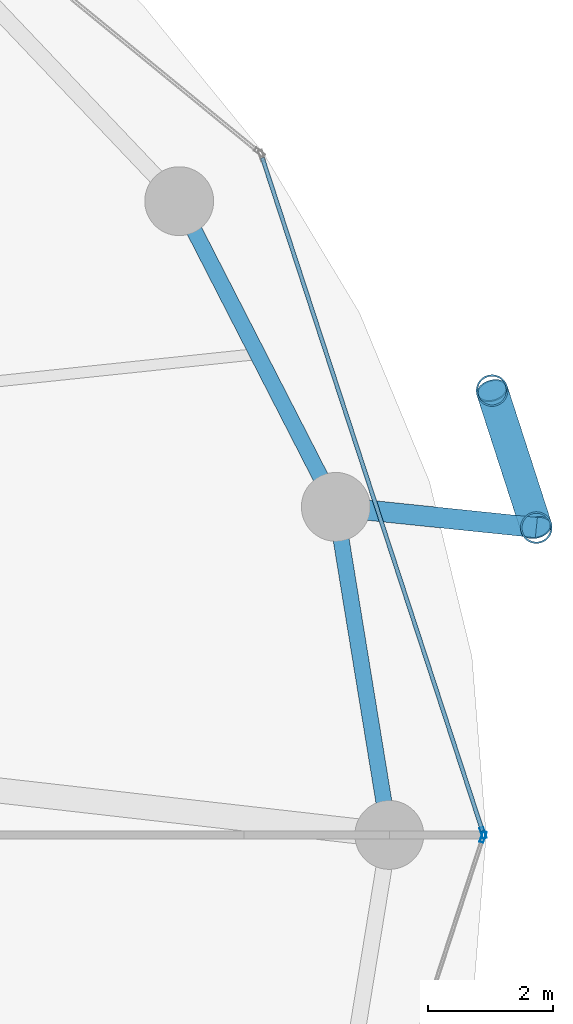
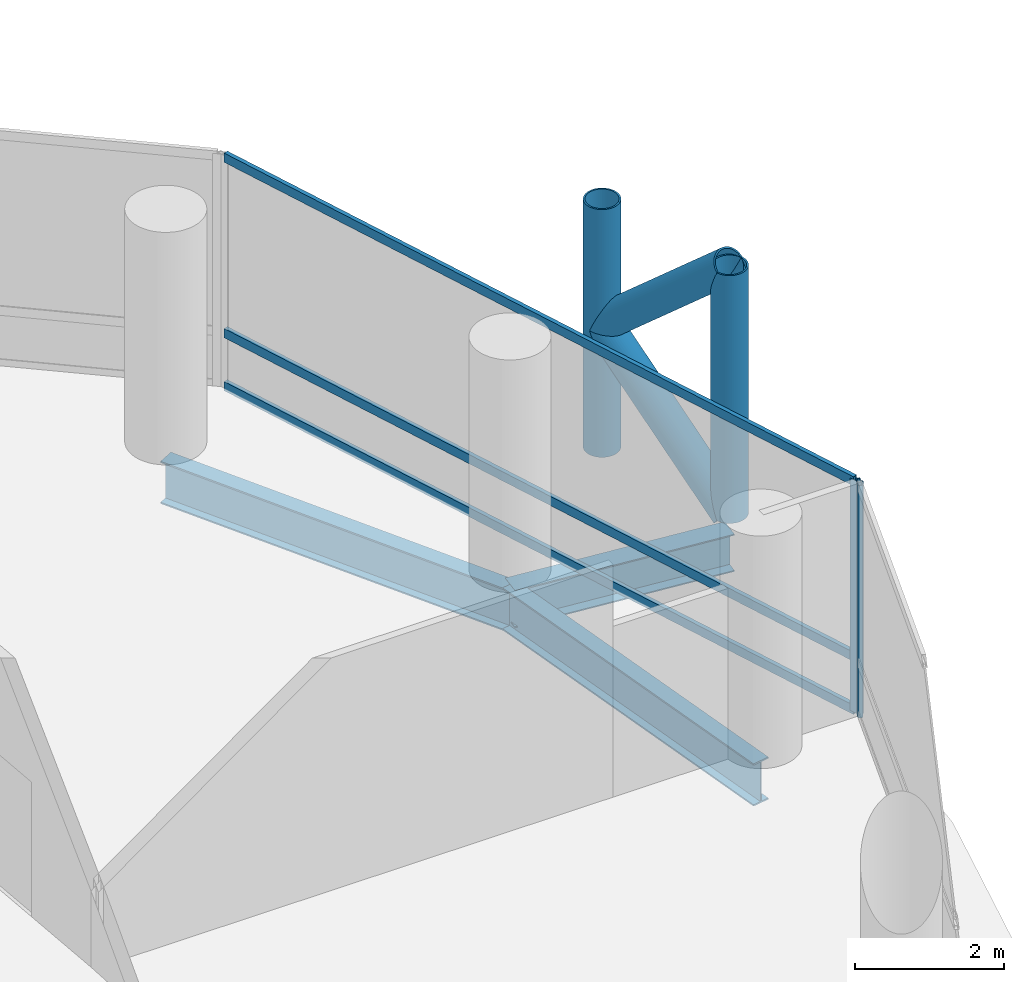
# One storey, part 12 of 24: 9 members, 3 beams, 2 elements without a shape of their own.
"""IFC4 building model written with IfcOpenShell, lengths in metres."""

from ifc_helpers import new_model, si_unit, direction, frame, origin, origin_2d, place, context, subcontext, project, spatial, hollow_rectangle, hollow_circle, i_section, extrude, material, layer, layer_set, material_profile, profile_set, type_object, element, aggregate, save


model = new_model("IFC4")

# Units and contexts
model_context = context("Model", 3, precision=1e-05, world=origin(), true_north=direction((0.0, 1.0)))
body_context = subcontext(model_context, "Body", "Model", "MODEL_VIEW")
ifc_project = project(units=[si_unit("LENGTHUNIT", "METRE"), si_unit("AREAUNIT", "SQUARE_METRE"), si_unit("VOLUMEUNIT", "CUBIC_METRE"), si_unit("PLANEANGLEUNIT", "RADIAN"), si_unit("MASSUNIT", "GRAM", prefix="KILO")], contexts=[model_context])

# Site, building, storey
site_placement = place(None, origin())
site = spatial("IfcSite", under=ifc_project, at=site_placement, CompositionType="ELEMENT")
building_placement = place(site_placement, origin())
building = spatial("IfcBuilding", under=site, at=building_placement, Name="Nuhasar Tower", CompositionType="ELEMENT")
storey_placement = place(building_placement, frame((0.0, 0.0, 81.75)))
storey = spatial("IfcBuildingStorey", under=building, at=storey_placement, Name="L19", CompositionType="ELEMENT", Elevation=81.75)

# Beams
ifc_material_1 = material(Name="Steel S355", Category="steel")
ifc_material_profile_1 = material_profile(ifc_material_1, i_section(OverallWidth=0.256103515625, OverallDepth=0.693115234375, WebThickness=0.014404296875, FlangeThickness=0.023681640625, at=origin_2d()), Name="W27X114")
ifc_profile_set_1 = profile_set([ifc_material_profile_1], Name="Steel S355")
beam_type_1 = type_object("IfcBeamType", Name="BM-RING-W27X114", PredefinedType="SPANDREL", material=ifc_profile_set_1)
beam_1_placement = place(storey_placement, frame((64.050048828125, 26.800048828125, -0.596923828125), z_axis=(-0.160826635486, 0.986982671235, 0.0), x_axis=(-0.986982671235, -0.160826635486, 0.0)))
element("IfcBeam", 1, at=beam_1_placement, inside=storey, type_object=beam_type_1, Name="L19 Perimeter Ring Spandrel 01", PredefinedType="SPANDREL", context=body_context, shape_type="SweptSolid", body=[
    extrude(i_section(OverallWidth=0.256103515625, OverallDepth=0.693115234375, WebThickness=0.014404296875, FlangeThickness=0.023681640625, at=origin_2d()), origin(), (0.0, 0.0, 1.0), 5.31005859375),
])
beam_2_placement = place(storey_placement, frame((63.196044921875, 32.041015625, -0.596923828125), z_axis=(-0.455930023905, 0.890015625314, 0.0), x_axis=(-0.890015625314, -0.455930023905, 0.0)))
element("IfcBeam", 2, at=beam_2_placement, inside=storey, type_object=beam_type_1, Name="L19 Perimeter Ring Spandrel 02", PredefinedType="SPANDREL", context=body_context, shape_type="SweptSolid", body=[
    extrude(i_section(OverallWidth=0.256103515625, OverallDepth=0.693115234375, WebThickness=0.014404296875, FlangeThickness=0.023681640625, at=origin_2d()), origin(), (0.0, 0.0, 1.0), 5.487548828125),
])
ifc_material_profile_2 = material_profile(ifc_material_1, i_section(OverallWidth=0.323974609375, OverallDepth=0.611083984375, WebThickness=0.0126953125, FlangeThickness=0.01904296875, at=origin_2d()), Name="W24X104")
ifc_profile_set_2 = profile_set([ifc_material_profile_2], Name="Steel S355")
beam_type_2 = type_object("IfcBeamType", Name="BM-TIE-W24X104", PredefinedType="BEAM", material=ifc_profile_set_2)
beam_3_placement = place(storey_placement, frame((63.196044921875, 32.041015625, -0.554931640625), z_axis=(0.994703825606, -0.102782777377, 0.0), x_axis=(0.102782777377, 0.994703825606, 0.0)))
element("IfcBeam", 3, at=beam_3_placement, inside=storey, type_object=beam_type_2, Name="L19 Exoskeleton Node Tie Beam 01", PredefinedType="BEAM", context=body_context, shape_type="SweptSolid", body=[
    extrude(i_section(OverallWidth=0.323974609375, OverallDepth=0.611083984375, WebThickness=0.0126953125, FlangeThickness=0.01904296875, at=origin_2d()), origin(), (0.0, 0.0, 1.0), 3.220947265625),
])

# Curtain wall, member
ifc_material_2 = material(Name="Aluminium 6063-T6", Category="aluminium")
ifc_layer = layer(ifc_material_2, 0.199951171875)
ifc_layer_set = layer_set([ifc_layer], Name="Aluminium 6063-T6")
curtain_wall_type = type_object("IfcCurtainWallType", Name="CW-Z1-OFF", PredefinedType="NOTDEFINED", material=ifc_layer_set)
curtain_wall_1_placement = place(storey_placement, origin())
curtain_wall_1 = element("IfcCurtainWall", 4, at=curtain_wall_1_placement, inside=storey, type_object=curtain_wall_type, Name="L19 Unitised Curtain Wall 01", PredefinedType="NOTDEFINED")
ifc_material_profile_3 = material_profile(ifc_material_2, hollow_rectangle(XDim=0.06494140625, YDim=0.179931640625, WallThickness=0.0048828125, at=origin_2d()), Name="CWM-2")
ifc_profile_set_3 = profile_set([ifc_material_profile_3], Name="Aluminium 6063-T6")
member_type_1 = type_object("IfcMemberType", Name="CW-MUL-S2", PredefinedType="MULLION", material=ifc_profile_set_3)
member_1_placement = place(storey_placement, frame((65.5498046875, 26.830810546875, 0.0), z_axis=(0.0, 0.0, 1.0), x_axis=(-0.950467534571, -0.310823849997, 0.0)))
member_1 = element("IfcMember", 5, at=member_1_placement, type_object=member_type_1, Name="CW-Z1 mullion 1", PredefinedType="MULLION", context=body_context, shape_type="SweptSolid", body=[
    extrude(hollow_rectangle(XDim=0.06494140625, YDim=0.179931640625, WallThickness=0.0048828125, at=origin_2d()), origin(), (0.0, 0.0, 1.0), 3.800048828125),
])

curtain_wall_2_placement = place(storey_placement, origin())
curtain_wall_2 = element("IfcCurtainWall", 6, at=curtain_wall_2_placement, inside=storey, type_object=curtain_wall_type, Name="L19 Unitised Curtain Wall 12", PredefinedType="NOTDEFINED")
member_2_placement = place(storey_placement, frame((65.5498046875, 26.76904296875, 0.0), z_axis=(0.0, 0.0, 1.0), x_axis=(-0.950467534571, 0.310823849997, 0.0)))
member_2 = element("IfcMember", 7, at=member_2_placement, type_object=member_type_1, Name="CW-Z1 mullion 2", PredefinedType="MULLION", context=body_context, shape_type="SweptSolid", body=[
    extrude(hollow_rectangle(XDim=0.06494140625, YDim=0.179931640625, WallThickness=0.0048828125, at=origin_2d()), origin(), (0.0, 0.0, 1.0), 3.800048828125),
])
aggregate(curtain_wall_2, [member_2])

# Member
ifc_material_profile_4 = material_profile(ifc_material_2, hollow_rectangle(XDim=0.06494140625, YDim=0.14990234375, WallThickness=0.00439453125, at=origin_2d()), Name="CWT-2")
ifc_profile_set_4 = profile_set([ifc_material_profile_4], Name="Aluminium 6063-T6")
member_type_2 = type_object("IfcMemberType", Name="CW-TRN-S2", PredefinedType="USERDEFINED", material=ifc_profile_set_4)
member_3_placement = place(storey_placement, frame((65.539794921875, 26.86181640625, 0.032470703125), z_axis=(-0.31082506089, 0.950467138581, 0.0), x_axis=(-0.950467138581, -0.31082506089, 0.0)))
member_3 = element("IfcMember", 8, at=member_3_placement, type_object=member_type_2, Name="CW-Z1 transom 1.1", ObjectType="TRANSOM", PredefinedType="USERDEFINED", context=body_context, shape_type="SweptSolid", body=[
    extrude(hollow_rectangle(XDim=0.06494140625, YDim=0.14990234375, WallThickness=0.00439453125, at=origin_2d()), origin(), (0.0, 0.0, 1.0), 11.31689453125),
])

member_4_placement = place(storey_placement, frame((65.539794921875, 26.86181640625, 0.89990234375), z_axis=(-0.31082506089, 0.950467138581, 0.0), x_axis=(-0.950467138581, -0.31082506089, 0.0)))
member_4 = element("IfcMember", 9, at=member_4_placement, type_object=member_type_2, Name="CW-Z1 transom 1.2", ObjectType="TRANSOM", PredefinedType="USERDEFINED", context=body_context, shape_type="SweptSolid", body=[
    extrude(hollow_rectangle(XDim=0.06494140625, YDim=0.14990234375, WallThickness=0.00439453125, at=origin_2d()), origin(), (0.0, 0.0, 1.0), 11.31689453125),
])

member_5_placement = place(storey_placement, frame((65.539794921875, 26.86181640625, 3.767578125), z_axis=(-0.31082506089, 0.950467138581, 0.0), x_axis=(-0.950467138581, -0.31082506089, 0.0)))
member_5 = element("IfcMember", 10, at=member_5_placement, type_object=member_type_2, Name="CW-Z1 transom 1.3", ObjectType="TRANSOM", PredefinedType="USERDEFINED", context=body_context, shape_type="SweptSolid", body=[
    extrude(hollow_rectangle(XDim=0.06494140625, YDim=0.14990234375, WallThickness=0.00439453125, at=origin_2d()), origin(), (0.0, 0.0, 1.0), 11.31689453125),
])

aggregate(curtain_wall_1, [member_1, member_3, member_4, member_5])

# Members
ifc_material_3 = material(Name="Steel S460", Category="steel")
ifc_material_profile_5 = material_profile(ifc_material_3, hollow_circle(Radius=0.25390625, WallThickness=0.025390625, at=origin_2d()), Name="HSS508X25.4")
ifc_profile_set_5 = profile_set([ifc_material_profile_5], Name="Steel S460")
member_type_3 = type_object("IfcMemberType", Name="EXO-BRONZE-508", PredefinedType="BRACE", material=ifc_profile_set_5)
for number, where, z_axis, x_axis, name in (
    (11, (66.39990234375, 31.7099609375, 0.0), (0.0, 0.0, 1.0), (1.0, 0.0, 0.0), "L19 Exoskeleton Chord Column EC-01A"),
    (12, (65.69189453125, 33.89892578125, 0.0), (0.0, 0.0, 1.0), (1.0, 0.0, 0.0), "L19 Exoskeleton Chord Column EC-01B"),
):
    element("IfcMember", number, at=place(storey_placement, frame(where, z_axis=z_axis, x_axis=x_axis)), inside=storey, type_object=member_type_3, Name=name, PredefinedType="BRACE", context=body_context, shape_type="SweptSolid", body=[
        extrude(hollow_circle(Radius=0.25390625, WallThickness=0.025390625, at=origin_2d()), origin(), (0.0, 0.0, 1.0), 4.050048828125),
    ])
member_6_placement = place(storey_placement, frame((66.39990234375, 31.7099609375, 0.0), z_axis=(-0.231011836313, 0.714224870475, 0.660693851854), x_axis=(-0.951468282519, -0.307746823478, 0.0)))
element("IfcMember", 13, at=member_6_placement, inside=storey, type_object=member_type_3, Name="L19 Bronze Diagrid Brace W1-01", PredefinedType="BRACE", context=body_context, shape_type="SweptSolid", body=[
    extrude(hollow_circle(Radius=0.25390625, WallThickness=0.025390625, at=origin_2d()), origin(), (0.0, 0.0, 1.0), 3.064697265625),
])
member_7_placement = place(storey_placement, frame((65.69189453125, 33.89892578125, 2.02490234375), z_axis=(0.230999678299, -0.714187281251, 0.660738734997), x_axis=(0.951468282519, 0.307746823478, 0.0)))
element("IfcMember", 14, at=member_7_placement, inside=storey, type_object=member_type_3, Name="L19 Bronze Diagrid Brace W2-01", PredefinedType="BRACE", context=body_context, shape_type="SweptSolid", body=[
    extrude(hollow_circle(Radius=0.25390625, WallThickness=0.025390625, at=origin_2d()), origin(), (0.0, 0.0, 1.0), 3.06494140625),
])

save(model, "model.ifc")
